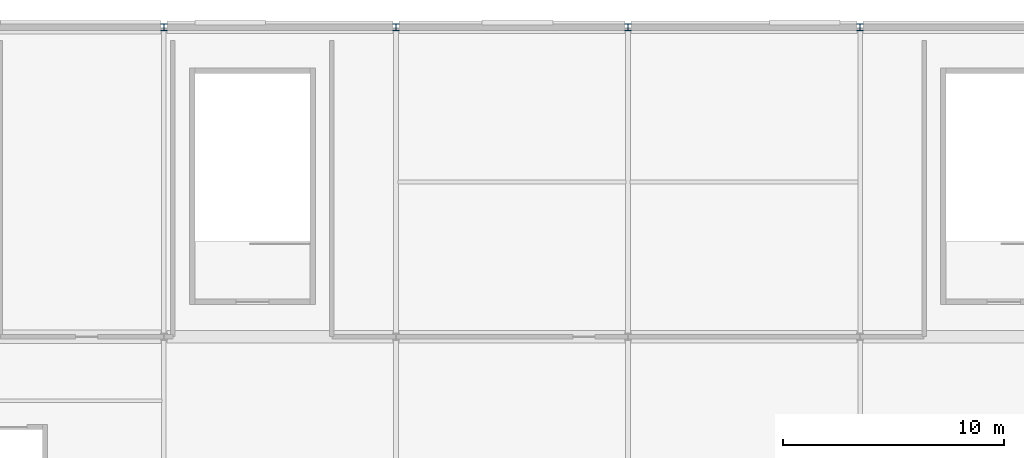
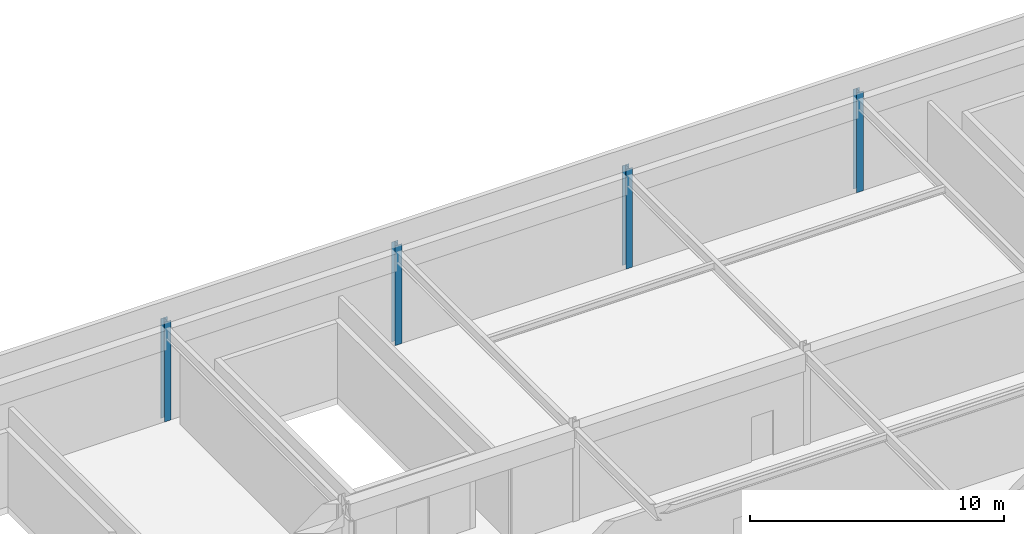
# One storey, part 18 of 122: 4 columns.
"""IFC4 building model written with IfcOpenShell, lengths in metres."""

from ifc_helpers import new_model, si_unit, direction, frame, origin, origin_2d, place, context, subcontext, project, spatial, i_section, extrude, material, material_profile, profile_set, type_object, element, save


model = new_model("IFC4")

# Units and contexts
model_context = context("Model", 3, precision=1e-05, world=origin(), true_north=direction((0.0, 1.0)))
body_context = subcontext(model_context, "Body", "Model", "MODEL_VIEW")
ifc_project = project(units=[si_unit("LENGTHUNIT", "METRE"), si_unit("AREAUNIT", "SQUARE_METRE"), si_unit("VOLUMEUNIT", "CUBIC_METRE"), si_unit("PLANEANGLEUNIT", "RADIAN"), si_unit("MASSUNIT", "GRAM", prefix="KILO")], contexts=[model_context])

# Site, building, storey
site_placement = place(None, origin())
site = spatial("IfcSite", under=ifc_project, at=site_placement, CompositionType="ELEMENT")
building_placement = place(site_placement, origin())
building = spatial("IfcBuilding", under=site, at=building_placement, Name="Cuetzalor Civic Arena", CompositionType="ELEMENT")
storey_placement = place(building_placement, frame((0.0, 0.0, 16.199951171875)))
storey = spatial("IfcBuildingStorey", under=building, at=storey_placement, Name="L03", CompositionType="ELEMENT", Elevation=16.199951171875)

# Columns
ifc_material = material(Name="Steel S355", Category="steel")
ifc_material_profile = material_profile(ifc_material, i_section(OverallWidth=0.304931640625, OverallDepth=0.30810546875, WebThickness=0.010009765625, FlangeThickness=0.015380859375, at=origin_2d()), Name="W310x97")
ifc_profile_set = profile_set([ifc_material_profile], Name="Steel S355")
column_type = type_object("IfcColumnType", Name="SteelGalleryColumn_W310", PredefinedType="COLUMN", material=ifc_profile_set)
for number, where, z_axis, x_axis, name in (
    (1, (-21.0, 75.5, 0.0), (0.0, 0.0, 1.0), (1.0, 0.0, 0.0), "Column V5-C-06-05 L03"),
    (2, (-10.5, 75.5, 0.0), (0.0, 0.0, 1.0), (1.0, 0.0, 0.0), "Column V5-C-07-05 L03"),
    (3, (0.0, 75.5, 0.0), (0.0, 0.0, 1.0), (1.0, 0.0, 0.0), "Column V5-C-08-05 L03"),
    (4, (10.5, 75.5, 0.0), (0.0, 0.0, 1.0), (1.0, 0.0, 0.0), "Column V5-C-09-05 L03"),
):
    element("IfcColumn", number, at=place(storey_placement, frame(where, z_axis=z_axis, x_axis=x_axis)), inside=storey, type_object=column_type, Name=name, PredefinedType="COLUMN", context=body_context, shape_type="SweptSolid", body=[
        extrude(i_section(OverallWidth=0.304931640625, OverallDepth=0.30810546875, WebThickness=0.010009765625, FlangeThickness=0.015380859375, at=origin_2d()), origin(), (0.0, 0.0, 1.0), 4.800048828125),
    ])

save(model, "model.ifc")
